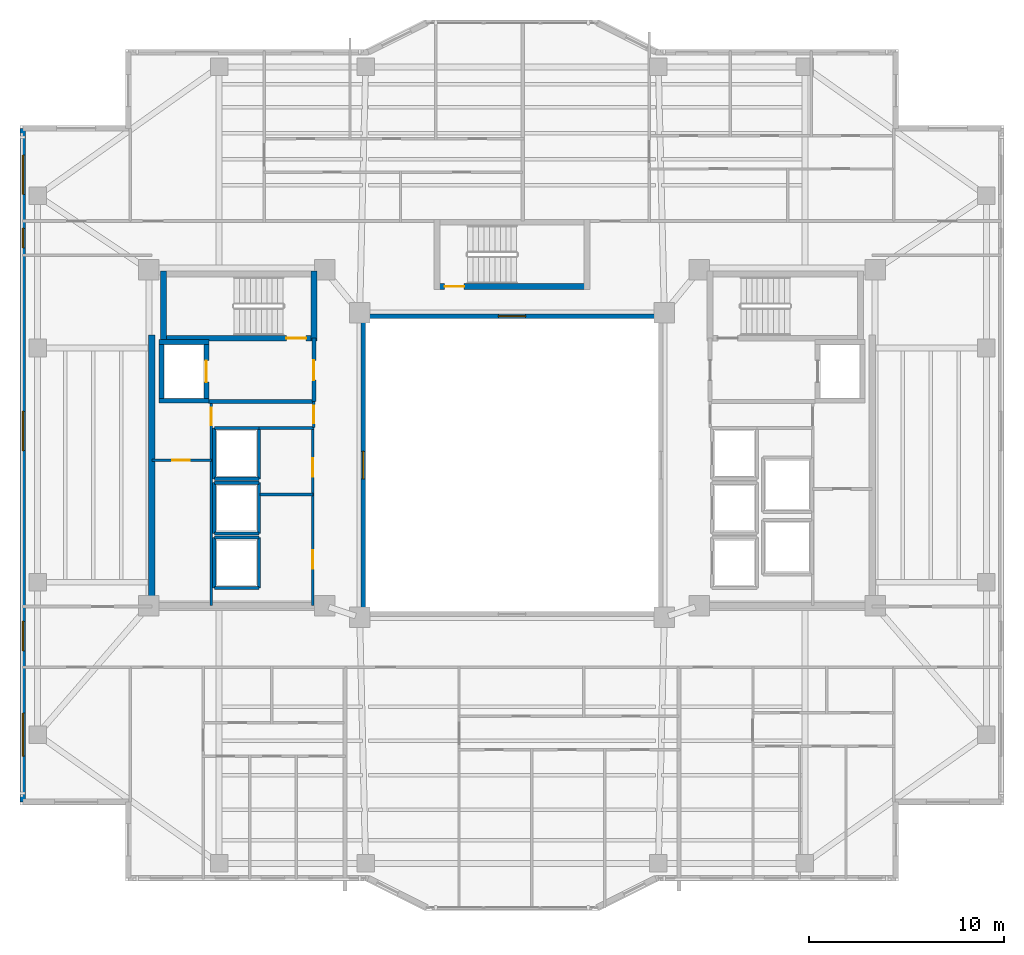
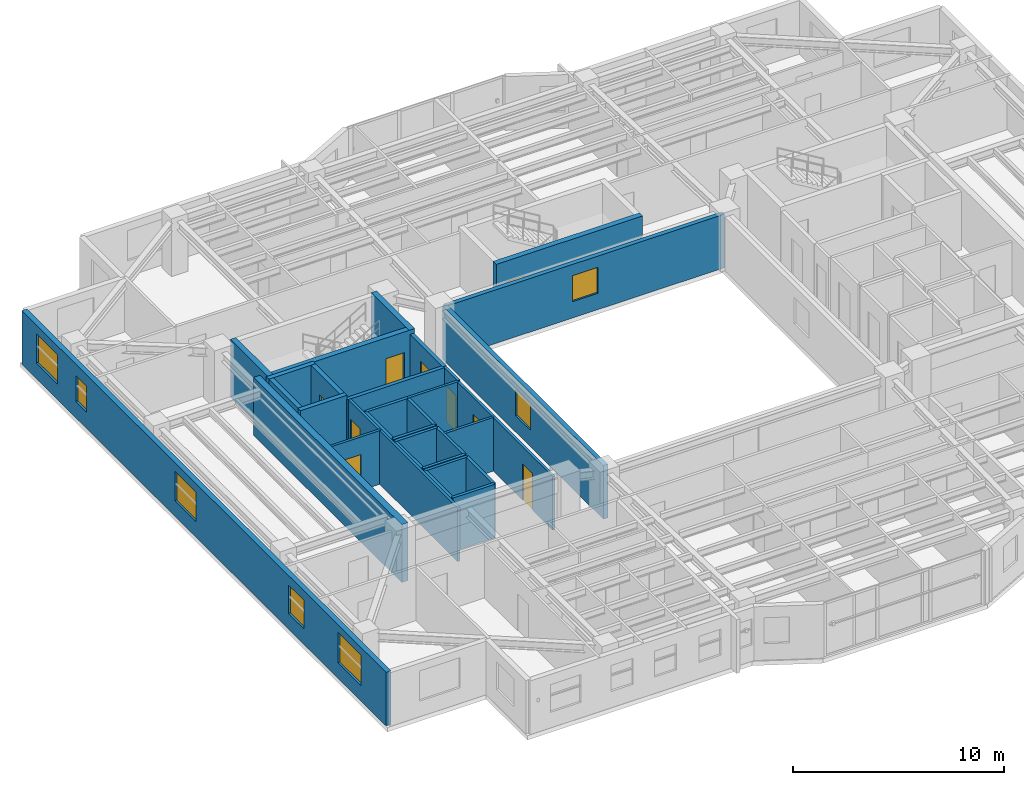
# One storey, part 7 of 16: 32 walls, 9 doors, 7 windows, 16 openings.
"""IFC4 building model written with IfcOpenShell, lengths in metres."""

from ifc_helpers import new_model, si_unit, direction, frame, frame_2d, origin, place, context, subcontext, project, spatial, rectangle, extrude, material, layer, layer_set, type_object, element, fill, save


model = new_model("IFC4")

# Units and contexts
model_context = context("Model", 3, precision=1e-05, world=origin(), true_north=direction((0.0, 1.0)))
body_context = subcontext(model_context, "Body", "Model", "MODEL_VIEW")
ifc_project = project(units=[si_unit("LENGTHUNIT", "METRE"), si_unit("AREAUNIT", "SQUARE_METRE"), si_unit("VOLUMEUNIT", "CUBIC_METRE"), si_unit("PLANEANGLEUNIT", "RADIAN"), si_unit("MASSUNIT", "GRAM", prefix="KILO")], contexts=[model_context])

# Site, building, storey
site_placement = place(None, origin())
site = spatial("IfcSite", under=ifc_project, at=site_placement, CompositionType="ELEMENT")
building_placement = place(site_placement, origin())
building = spatial("IfcBuilding", under=site, at=building_placement, Name="Tarnavaz Court Tower", CompositionType="ELEMENT")
storey_placement = place(building_placement, frame((0.0, 0.0, 146.0)))
storey = spatial("IfcBuildingStorey", under=building, at=storey_placement, Name="L39", CompositionType="ELEMENT", Elevation=146.0)

# Wall
ifc_material_1 = material(Name="Concrete C50/60", Category="concrete")
ifc_layer_1 = layer(ifc_material_1, 0.25)
ifc_layer_set_1 = layer_set([ifc_layer_1], Name="Concrete C50/60")
wall_type_1 = type_object("IfcWallType", Name="WL-CORE-250-C50", PredefinedType="SHEAR", material=ifc_layer_set_1)
wall_1_placement = place(storey_placement, frame((-17.949951171875, 3.175048828125, 0.0), z_axis=(0.0, 0.0, 1.0), x_axis=(0.0, 1.0, 0.0)))
element("IfcWall", 1, at=wall_1_placement, inside=storey, type_object=wall_type_1, Name="L39 Lift FL-W1 Shaft Wall 017", PredefinedType="SHEAR", context=body_context, shape_type="SweptSolid", body=[
    extrude(rectangle(XDim=3.25, YDim=0.25, at=frame_2d((1.625, 0.0))), origin(), (0.0, 0.0, 1.0), 3.35009765625),
])

# Wall, opening, door
wall_2_placement = place(storey_placement, frame((-15.64990234375, 3.175048828125, 0.0), z_axis=(0.0, 0.0, 1.0), x_axis=(0.0, 1.0, 0.0)))
wall_2 = element("IfcWall", 2, at=wall_2_placement, inside=storey, type_object=wall_type_1, Name="L39 Lift FL-W1 Shaft Wall 018", PredefinedType="SHEAR", context=body_context, shape_type="SweptSolid", body=[
    extrude(rectangle(XDim=3.25, YDim=0.25, at=frame_2d((1.625, 0.0))), origin(), (0.0, 0.0, 1.0), 3.35009765625),
])
opening_1_placement = place(wall_2_placement, frame((1.074951171875, 0.0, 0.0)))
opening_1 = element("IfcOpeningElement", 3, at=opening_1_placement, cuts=wall_2, Name="Opening LD1", PredefinedType="OPENING", context=body_context, shape_type="SweptSolid", body=[
    extrude(rectangle(XDim=1.10009765625, YDim=2.14990234375, at=frame_2d((0.550048828125, 1.074951171875))), frame((0.0, 0.135009765625, 0.0), z_axis=(0.0, -1.0, 0.0), x_axis=(1.0, 0.0, 0.0)), (0.0, 0.0, 1.0), 0.27001953125),
])
ifc_material_2 = material(Name="Stainless Steel", Category="steel")
door_type_1 = type_object("IfcDoorType", Name="DR-LD-1100", OperationType="NOTDEFINED", PredefinedType="DOOR", material=ifc_material_2)
door_1_placement = place(opening_1_placement, origin())
door_1 = element("IfcDoor", 4, at=door_1_placement, inside=storey, type_object=door_type_1, Name="L39 Lift Landing Door LD-FL-W1", OperationType="SLIDING_TO_LEFT", OverallHeight=2.14990234375, OverallWidth=1.10009765625, PredefinedType="DOOR", context=body_context, shape_type="SweptSolid", body=[
    extrude(rectangle(XDim=1.10009765625, YDim=2.14990234375, at=frame_2d((0.550048828125, 1.074951171875))), frame((0.0, 0.02490234375, 0.0), z_axis=(0.0, -1.0, 0.0), x_axis=(1.0, 0.0, 0.0)), (0.0, 0.0, 1.0), 0.050048828125),
])
fill(opening_1, door_1)

# Walls
for number, where, z_axis, x_axis, name in (
    (5, (-18.074951171875, 3.300048828125, 0.0), (0.0, 0.0, 1.0), (1.0, 0.0, 0.0), "L39 Lift FL-W1 Shaft Wall 019"),
    (6, (-18.074951171875, 6.300048828125, 0.0), (0.0, 0.0, 1.0), (1.0, 0.0, 0.0), "L39 Lift FL-W1 Shaft Wall 020"),
):
    element("IfcWall", number, at=place(storey_placement, frame(where, z_axis=z_axis, x_axis=x_axis)), inside=storey, type_object=wall_type_1, Name=name, PredefinedType="SHEAR", context=body_context, shape_type="SweptSolid", body=[
        extrude(rectangle(XDim=2.550048828125, YDim=0.25, at=frame_2d((1.27490234375, 0.0))), origin(), (0.0, 0.0, 1.0), 3.35009765625),
    ])

# Wall, opening, door
ifc_layer_2 = layer(ifc_material_1, 0.300048828125)
ifc_layer_set_2 = layer_set([ifc_layer_2], Name="Concrete C50/60")
wall_type_2 = type_object("IfcWallType", Name="WL-CORE-300-C50", PredefinedType="SHEAR", material=ifc_layer_set_2)
wall_3_placement = place(storey_placement, frame((-18.0, 6.5, 0.0), z_axis=(0.0, 0.0, 1.0), x_axis=(1.0, 0.0, 0.0)))
wall_3 = element("IfcWall", 7, at=wall_3_placement, inside=storey, type_object=wall_type_2, Name="L39 West Stair Core Wall 002", PredefinedType="SHEAR", context=body_context, shape_type="SweptSolid", body=[
    extrude(rectangle(XDim=8.0, YDim=0.300048828125, at=frame_2d((4.0, 0.0))), origin(), (0.0, 0.0, 1.0), 3.35009765625),
])
opening_2_placement = place(wall_3_placement, frame((6.449951171875, 0.0, 0.0)))
opening_2 = element("IfcOpeningElement", 8, at=opening_2_placement, cuts=wall_3, Name="Opening D01", PredefinedType="OPENING", context=body_context, shape_type="SweptSolid", body=[
    extrude(rectangle(XDim=1.0, YDim=2.14990234375, at=frame_2d((0.5, 1.074951171875))), frame((0.0, 0.159912109375, 0.0), z_axis=(0.0, -1.0, 0.0), x_axis=(1.0, 0.0, 0.0)), (0.0, 0.0, 1.0), 0.320068359375),
])
ifc_material_3 = material(Name="Fire-Rated Hardwood Timber Core", Category="wood")
door_type_2 = type_object("IfcDoorType", Name="DR-FD90-1000", OperationType="NOTDEFINED", PredefinedType="DOOR", material=ifc_material_3)
door_2_placement = place(opening_2_placement, origin())
door_2 = element("IfcDoor", 9, at=door_2_placement, inside=storey, type_object=door_type_2, Name="L39 Stair ST-W1 Exit Door", OperationType="SINGLE_SWING_LEFT", OverallHeight=2.14990234375, OverallWidth=1.0, PredefinedType="DOOR", context=body_context, shape_type="SweptSolid", body=[
    extrude(rectangle(XDim=1.0, YDim=2.14990234375, at=frame_2d((0.5, 1.074951171875))), frame((0.0, 0.02490234375, 0.0), z_axis=(0.0, -1.0, 0.0), x_axis=(1.0, 0.0, 0.0)), (0.0, 0.0, 1.0), 0.050048828125),
])
fill(opening_2, door_2)

# Walls
for number, where, z_axis, x_axis, name in (
    (10, (-17.85009765625, 6.35009765625, 0.0), (0.0, 0.0, 1.0), (0.0, 1.0, 0.0), "L39 West Stair Core Wall 003"),
    (11, (-10.14990234375, 6.35009765625, 0.0), (0.0, 0.0, 1.0), (0.0, 1.0, 0.0), "L39 West Stair Core Wall 004"),
):
    element("IfcWall", number, at=place(storey_placement, frame(where, z_axis=z_axis, x_axis=x_axis)), inside=storey, type_object=wall_type_2, Name=name, PredefinedType="SHEAR", context=body_context, shape_type="SweptSolid", body=[
        extrude(rectangle(XDim=3.58984375, YDim=0.300048828125, at=frame_2d((1.794921875, 0.0))), origin(), (0.0, 0.0, 1.0), 3.35009765625),
    ])

# Wall, opening, door
wall_4_placement = place(storey_placement, frame((-4.0, 9.14990234375, 0.0), z_axis=(0.0, 0.0, 1.0), x_axis=(1.0, 0.0, 0.0)))
wall_4 = element("IfcWall", 12, at=wall_4_placement, inside=storey, type_object=wall_type_2, Name="L39 North Stair Core Wall 010", PredefinedType="SHEAR", context=body_context, shape_type="SweptSolid", body=[
    extrude(rectangle(XDim=8.0, YDim=0.300048828125, at=frame_2d((4.0, 0.0))), origin(), (0.0, 0.0, 1.0), 3.35009765625),
])
opening_3_placement = place(wall_4_placement, frame((0.550048828125, 0.0, 0.0)))
opening_3 = element("IfcOpeningElement", 13, at=opening_3_placement, cuts=wall_4, Name="Opening D01", PredefinedType="OPENING", context=body_context, shape_type="SweptSolid", body=[
    extrude(rectangle(XDim=1.0, YDim=2.14990234375, at=frame_2d((0.5, 1.074951171875))), frame((0.0, 0.159912109375, 0.0), z_axis=(0.0, -1.0, 0.0), x_axis=(1.0, 0.0, 0.0)), (0.0, 0.0, 1.0), 0.320068359375),
])
door_3_placement = place(opening_3_placement, origin())
door_3 = element("IfcDoor", 14, at=door_3_placement, inside=storey, type_object=door_type_2, Name="L39 Stair ST-N1 Exit Door", OperationType="SINGLE_SWING_LEFT", OverallHeight=2.14990234375, OverallWidth=1.0, PredefinedType="DOOR", context=body_context, shape_type="SweptSolid", body=[
    extrude(rectangle(XDim=1.0, YDim=2.14990234375, at=frame_2d((0.5, 1.074951171875))), frame((0.0, 0.02490234375, 0.0), z_axis=(0.0, -1.0, 0.0), x_axis=(1.0, 0.0, 0.0)), (0.0, 0.0, 1.0), 0.050048828125),
])
fill(opening_3, door_3)

# Wall
ifc_layer_3 = layer(ifc_material_1, 0.35009765625)
ifc_layer_set_3 = layer_set([ifc_layer_3], Name="Concrete C50/60")
wall_type_3 = type_object("IfcWallType", Name="WL-CORE-350-C50", PredefinedType="SHEAR", material=ifc_layer_set_3)
wall_5_placement = place(storey_placement, frame((-18.449951171875, -7.375, 0.0), z_axis=(0.0, 0.0, 1.0), x_axis=(0.0, 1.0, 0.0)))
element("IfcWall", 15, at=wall_5_placement, inside=storey, type_object=wall_type_3, Name="L39 West Core Shear Wall 057", PredefinedType="SHEAR", context=body_context, shape_type="SweptSolid", body=[
    extrude(rectangle(XDim=14.050048828125, YDim=0.35009765625, at=frame_2d((7.02490234375, 0.0))), origin(), (0.0, 0.0, 1.0), 3.35009765625),
])

# Wall, openings, windows
ifc_material_4 = material(Name="Precast Concrete C40/50", Category="concrete")
ifc_layer_4 = layer(ifc_material_4, 0.280029296875)
ifc_layer_set_4 = layer_set([ifc_layer_4], Name="Precast Concrete C40/50")
wall_type_4 = type_object("IfcWallType", Name="WL-EXT-280", PredefinedType="SOLIDWALL", material=ifc_layer_set_4)
wall_6_placement = place(storey_placement, frame((-25.050048828125, -17.25, 0.0), z_axis=(0.0, 0.0, 1.0), x_axis=(0.0, 1.0, 0.0)))
wall_6 = element("IfcWall", 16, at=wall_6_placement, inside=storey, type_object=wall_type_4, Name="L39 Exterior Terracotta Facade Wall 02", PredefinedType="SOLIDWALL", context=body_context, shape_type="SweptSolid", body=[
    extrude(rectangle(XDim=34.5, YDim=0.280029296875, at=frame_2d((17.25, 0.0))), origin(), (0.0, 0.0, 1.0), 3.10009765625),
])
opening_4_placement = place(wall_6_placement, frame((2.35009765625, 0.0, 0.89990234375)))
opening_4 = element("IfcOpeningElement", 17, at=opening_4_placement, cuts=wall_6, Name="Opening W07", PredefinedType="OPENING", context=body_context, shape_type="SweptSolid", body=[
    extrude(rectangle(XDim=2.199951171875, YDim=1.75, at=frame_2d((1.10009765625, 0.875))), frame((0.0, 0.14990234375, 0.0), z_axis=(0.0, -1.0, 0.0), x_axis=(1.0, 0.0, 0.0)), (0.0, 0.0, 1.0), 0.300048828125),
])
opening_5_placement = place(wall_6_placement, frame((7.742431640625, 0.0, 0.89990234375)))
opening_5 = element("IfcOpeningElement", 18, at=opening_5_placement, cuts=wall_6, Name="Opening W03", PredefinedType="OPENING", context=body_context, shape_type="SweptSolid", body=[
    extrude(rectangle(XDim=1.5, YDim=1.64990234375, at=frame_2d((0.75, 0.824951171875))), frame((0.0, 0.14990234375, 0.0), z_axis=(0.0, -1.0, 0.0), x_axis=(1.0, 0.0, 0.0)), (0.0, 0.0, 1.0), 0.300048828125),
])
opening_6_placement = place(wall_6_placement, frame((18.0, 0.0, 0.89990234375)))
opening_6 = element("IfcOpeningElement", 19, at=opening_6_placement, cuts=wall_6, Name="Opening W08", PredefinedType="OPENING", context=body_context, shape_type="SweptSolid", body=[
    extrude(rectangle(XDim=2.0, YDim=1.699951171875, at=frame_2d((1.0, 0.85009765625))), frame((0.0, 0.14990234375, 0.0), z_axis=(0.0, -1.0, 0.0), x_axis=(1.0, 0.0, 0.0)), (0.0, 0.0, 1.0), 0.300048828125),
])
opening_7_placement = place(wall_6_placement, frame((28.375, 0.0, 0.949951171875)))
opening_7 = element("IfcOpeningElement", 20, at=opening_7_placement, cuts=wall_6, Name="Opening W14", PredefinedType="OPENING", context=body_context, shape_type="SweptSolid", body=[
    extrude(rectangle(XDim=1.0, YDim=1.5, at=frame_2d((0.5, 0.75))), frame((0.0, 0.14990234375, 0.0), z_axis=(0.0, -1.0, 0.0), x_axis=(1.0, 0.0, 0.0)), (0.0, 0.0, 1.0), 0.300048828125),
])
opening_8_placement = place(wall_6_placement, frame((31.125, 0.0, 0.89990234375)))
opening_8 = element("IfcOpeningElement", 21, at=opening_8_placement, cuts=wall_6, Name="Opening W08", PredefinedType="OPENING", context=body_context, shape_type="SweptSolid", body=[
    extrude(rectangle(XDim=2.0, YDim=1.699951171875, at=frame_2d((1.0, 0.85009765625))), frame((0.0, 0.14990234375, 0.0), z_axis=(0.0, -1.0, 0.0), x_axis=(1.0, 0.0, 0.0)), (0.0, 0.0, 1.0), 0.300048828125),
])
ifc_material_5 = material(Name="Double-Glazed Solar Low-E Glass", Category="glass")
window_type_1 = type_object("IfcWindowType", Name="WN-APT-1000", PartitioningType="SINGLE_PANEL", PredefinedType="WINDOW", material=ifc_material_5)
window_1_placement = place(opening_7_placement, origin())
window_1 = element("IfcWindow", 22, at=window_1_placement, inside=storey, type_object=window_type_1, Name="L39 North-West Corner Corridor Window", OverallHeight=1.5, OverallWidth=1.0, PartitioningType="SINGLE_PANEL", PredefinedType="WINDOW", context=body_context, shape_type="SweptSolid", body=[
    extrude(rectangle(XDim=1.0, YDim=1.5, at=frame_2d((0.5, 0.75))), frame((0.0, 0.030029296875, 0.0), z_axis=(0.0, -1.0, 0.0), x_axis=(1.0, 0.0, 0.0)), (0.0, 0.0, 1.0), 0.06005859375),
])
fill(opening_7, window_1)
window_type_2 = type_object("IfcWindowType", Name="WN-APT-1500", PartitioningType="DOUBLE_PANEL_VERTICAL", PredefinedType="WINDOW", material=ifc_material_5)
window_2_placement = place(opening_5_placement, origin())
window_2 = element("IfcWindow", 23, at=window_2_placement, inside=storey, type_object=window_type_2, Name="L39 South-West Corner Corridor Window", OverallHeight=1.64990234375, OverallWidth=1.5, PartitioningType="SINGLE_PANEL", PredefinedType="WINDOW", context=body_context, shape_type="SweptSolid", body=[
    extrude(rectangle(XDim=1.5, YDim=1.64990234375, at=frame_2d((0.75, 0.824951171875))), frame((0.0, 0.030029296875, 0.0), z_axis=(0.0, -1.0, 0.0), x_axis=(1.0, 0.0, 0.0)), (0.0, 0.0, 1.0), 0.06005859375),
])
fill(opening_5, window_2)
window_type_3 = type_object("IfcWindowType", Name="WN-APT-2000", PartitioningType="DOUBLE_PANEL_VERTICAL", PredefinedType="WINDOW", material=ifc_material_5)
window_3_placement = place(opening_6_placement, origin())
window_3 = element("IfcWindow", 24, at=window_3_placement, inside=storey, type_object=window_type_3, Name="L39 West Wing Panoramic Study Gallery Window", OverallHeight=1.699951171875, OverallWidth=2.0, PartitioningType="SINGLE_PANEL", PredefinedType="WINDOW", context=body_context, shape_type="SweptSolid", body=[
    extrude(rectangle(XDim=2.0, YDim=1.699951171875, at=frame_2d((1.0, 0.85009765625))), frame((0.0, 0.030029296875, 0.0), z_axis=(0.0, -1.0, 0.0), x_axis=(1.0, 0.0, 0.0)), (0.0, 0.0, 1.0), 0.06005859375),
])
fill(opening_6, window_3)
window_4_placement = place(opening_8_placement, origin())
window_4 = element("IfcWindow", 25, at=window_4_placement, inside=storey, type_object=window_type_3, Name="L39 North-West Corner Sunroom Study Window", OverallHeight=1.699951171875, OverallWidth=2.0, PartitioningType="SINGLE_PANEL", PredefinedType="WINDOW", context=body_context, shape_type="SweptSolid", body=[
    extrude(rectangle(XDim=2.0, YDim=1.699951171875, at=frame_2d((1.0, 0.85009765625))), frame((0.0, 0.030029296875, 0.0), z_axis=(0.0, -1.0, 0.0), x_axis=(1.0, 0.0, 0.0)), (0.0, 0.0, 1.0), 0.06005859375),
])
fill(opening_8, window_4)
window_type_4 = type_object("IfcWindowType", Name="WN-APT-2200", PartitioningType="TRIPLE_PANEL_VERTICAL", PredefinedType="WINDOW", material=ifc_material_5)
window_5_placement = place(opening_4_placement, origin())
window_5 = element("IfcWindow", 26, at=window_5_placement, inside=storey, type_object=window_type_4, Name="L39 South-West Corner Reading Room Window", OverallHeight=1.75, OverallWidth=2.199951171875, PartitioningType="SINGLE_PANEL", PredefinedType="WINDOW", context=body_context, shape_type="SweptSolid", body=[
    extrude(rectangle(XDim=2.199951171875, YDim=1.75, at=frame_2d((1.10009765625, 0.875))), frame((0.0, 0.030029296875, 0.0), z_axis=(0.0, -1.0, 0.0), x_axis=(1.0, 0.0, 0.0)), (0.0, 0.0, 1.0), 0.06005859375),
])
fill(opening_4, window_5)

# Wall
ifc_material_6 = material(Name="Autoclaved Aerated Concrete Blockwork", Category="masonry")
ifc_layer_5 = layer(ifc_material_6, 0.199951171875)
ifc_layer_set_5 = layer_set([ifc_layer_5], Name="Autoclaved Aerated Concrete Blockwork")
wall_type_5 = type_object("IfcWallType", Name="WL-FIRE-200", PredefinedType="SOLIDWALL", material=ifc_layer_set_5)
wall_7_placement = place(storey_placement, frame((-15.550048828125, 3.25, 0.0), z_axis=(0.0, 0.0, 1.0), x_axis=(1.0, 0.0, 0.0)))
element("IfcWall", 27, at=wall_7_placement, inside=storey, type_object=wall_type_5, Name="L39 West Firefighting Lobby Wall 013", PredefinedType="SOLIDWALL", context=body_context, shape_type="SweptSolid", body=[
    extrude(rectangle(XDim=5.400146484375, YDim=0.199951171875, at=frame_2d((2.7001953125, 0.0))), origin(), (0.0, 0.0, 1.0), 3.10009765625),
])

# Wall, opening, door
wall_8_placement = place(storey_placement, frame((-10.14990234375, 3.25, 0.0), z_axis=(0.0, 0.0, 1.0), x_axis=(0.0, 1.0, 0.0)))
wall_8 = element("IfcWall", 28, at=wall_8_placement, inside=storey, type_object=wall_type_5, Name="L39 West Firefighting Lobby Wall 014", PredefinedType="SOLIDWALL", context=body_context, shape_type="SweptSolid", body=[
    extrude(rectangle(XDim=3.25, YDim=0.199951171875, at=frame_2d((1.625, 0.0))), origin(), (0.0, 0.0, 1.0), 3.10009765625),
])
opening_9_placement = place(wall_8_placement, frame((1.10009765625, 0.0, 0.0)))
opening_9 = element("IfcOpeningElement", 29, at=opening_9_placement, cuts=wall_8, Name="Opening D05", PredefinedType="OPENING", context=body_context, shape_type="SweptSolid", body=[
    extrude(rectangle(XDim=1.02001953125, YDim=2.14990234375, at=frame_2d((0.510009765625, 1.074951171875))), frame((0.0, 0.10986328125, 0.0), z_axis=(0.0, -1.0, 0.0), x_axis=(1.0, 0.0, 0.0)), (0.0, 0.0, 1.0), 0.219970703125),
])
door_type_3 = type_object("IfcDoorType", Name="DR-FD60-1000", OperationType="NOTDEFINED", PredefinedType="DOOR", material=ifc_material_3)
door_4_placement = place(opening_9_placement, origin())
door_4 = element("IfcDoor", 30, at=door_4_placement, inside=storey, type_object=door_type_3, Name="L39 West Firefighting Lobby Door", OperationType="SINGLE_SWING_RIGHT", OverallHeight=2.14990234375, OverallWidth=1.02001953125, PredefinedType="DOOR", context=body_context, shape_type="SweptSolid", body=[
    extrude(rectangle(XDim=1.02001953125, YDim=2.14990234375, at=frame_2d((0.510009765625, 1.074951171875))), frame((0.0, 0.02490234375, 0.0), z_axis=(0.0, -1.0, 0.0), x_axis=(1.0, 0.0, 0.0)), (0.0, 0.0, 1.0), 0.050048828125),
])
fill(opening_9, door_4)

# Wall
ifc_material_7 = material(Name="Gypsum Plasterboard Acoustic Partition", Category="masonry")
ifc_layer_6 = layer(ifc_material_7, 0.139892578125)
ifc_layer_set_6 = layer_set([ifc_layer_6], Name="Gypsum Plasterboard Acoustic Partition")
wall_type_6 = type_object("IfcWallType", Name="WL-PART-150", PredefinedType="PARTITIONING", material=ifc_layer_set_6)
wall_9_placement = place(storey_placement, frame((-12.949951171875, 1.89990234375, 0.0), z_axis=(0.0, 0.0, 1.0), x_axis=(1.0, 0.0, 0.0)))
element("IfcWall", 31, at=wall_9_placement, inside=storey, type_object=wall_type_6, Name="L39 Interior Partition 061", PredefinedType="PARTITIONING", context=body_context, shape_type="SweptSolid", body=[
    extrude(rectangle(XDim=2.800048828125, YDim=0.139892578125, at=frame_2d((1.39990234375, 0.0))), origin(), (0.0, 0.0, 1.0), 3.10009765625),
])

# Wall, opening, door
wall_10_placement = place(storey_placement, frame((-10.14990234375, 1.919921875, 0.0), z_axis=(0.0, 0.0, 1.0), x_axis=(0.0, 1.0, 0.0)))
wall_10 = element("IfcWall", 32, at=wall_10_placement, inside=storey, type_object=wall_type_6, Name="L39 Interior Partition 062", PredefinedType="PARTITIONING", context=body_context, shape_type="SweptSolid", body=[
    extrude(rectangle(XDim=1.330078125, YDim=0.139892578125, at=frame_2d((0.6650390625, 0.0))), origin(), (0.0, 0.0, 1.0), 3.10009765625),
])
opening_10_placement = place(wall_10_placement, frame((0.219970703125, 0.0, 0.0)))
opening_10 = element("IfcOpeningElement", 33, at=opening_10_placement, cuts=wall_10, Name="Opening D09", PredefinedType="OPENING", context=body_context, shape_type="SweptSolid", body=[
    extrude(rectangle(XDim=0.89990234375, YDim=2.080078125, at=frame_2d((0.449951171875, 1.0400390625))), frame((0.0, 0.079833984375, 0.0), z_axis=(0.0, -1.0, 0.0), x_axis=(1.0, 0.0, 0.0)), (0.0, 0.0, 1.0), 0.159912109375),
])
door_type_4 = type_object("IfcDoorType", Name="DR-FD30-900", OperationType="NOTDEFINED", PredefinedType="DOOR", material=ifc_material_3)
door_5_placement = place(opening_10_placement, origin())
door_5 = element("IfcDoor", 34, at=door_5_placement, inside=storey, type_object=door_type_4, Name="L39 West Core Service Lobby Door", OperationType="SINGLE_SWING_LEFT", OverallHeight=2.080078125, OverallWidth=0.89990234375, PredefinedType="DOOR", context=body_context, shape_type="SweptSolid", body=[
    extrude(rectangle(XDim=0.89990234375, YDim=2.080078125, at=frame_2d((0.449951171875, 1.0400390625))), frame((0.0, 0.02490234375, 0.0), z_axis=(0.0, -1.0, 0.0), x_axis=(1.0, 0.0, 0.0)), (0.0, 0.0, 1.0), 0.050048828125),
])
fill(opening_10, door_5)

wall_11_placement = place(storey_placement, frame((-15.39990234375, -7.199951171875, 0.0), z_axis=(0.0, 0.0, 1.0), x_axis=(0.0, 1.0, 0.0)))
wall_11 = element("IfcWall", 35, at=wall_11_placement, inside=storey, type_object=wall_type_6, Name="L39 Interior Partition 063", PredefinedType="PARTITIONING", context=body_context, shape_type="SweptSolid", body=[
    extrude(rectangle(XDim=10.449951171875, YDim=0.139892578125, at=frame_2d((5.22509765625, 0.0))), origin(), (0.0, 0.0, 1.0), 3.10009765625),
])
opening_11_placement = place(wall_11_placement, frame((9.25, 0.0, 0.0)))
opening_11 = element("IfcOpeningElement", 36, at=opening_11_placement, cuts=wall_11, Name="Opening D09", PredefinedType="OPENING", context=body_context, shape_type="SweptSolid", body=[
    extrude(rectangle(XDim=0.89990234375, YDim=2.080078125, at=frame_2d((0.449951171875, 1.0400390625))), frame((0.0, 0.079833984375, 0.0), z_axis=(0.0, -1.0, 0.0), x_axis=(1.0, 0.0, 0.0)), (0.0, 0.0, 1.0), 0.159912109375),
])
door_6_placement = place(opening_11_placement, origin())
door_6 = element("IfcDoor", 37, at=door_6_placement, inside=storey, type_object=door_type_4, Name="L39 West Data Room Door", OperationType="SINGLE_SWING_RIGHT", OverallHeight=2.080078125, OverallWidth=0.89990234375, PredefinedType="DOOR", context=body_context, shape_type="SweptSolid", body=[
    extrude(rectangle(XDim=0.89990234375, YDim=2.080078125, at=frame_2d((0.449951171875, 1.0400390625))), frame((0.0, 0.02490234375, 0.0), z_axis=(0.0, -1.0, 0.0), x_axis=(1.0, 0.0, 0.0)), (0.0, 0.0, 1.0), 0.050048828125),
])
fill(opening_11, door_6)

wall_12_placement = place(storey_placement, frame((-18.449951171875, 0.25, 0.0), z_axis=(0.0, 0.0, 1.0), x_axis=(1.0, 0.0, 0.0)))
wall_12 = element("IfcWall", 38, at=wall_12_placement, inside=storey, type_object=wall_type_6, Name="L39 Interior Partition 064", PredefinedType="PARTITIONING", context=body_context, shape_type="SweptSolid", body=[
    extrude(rectangle(XDim=3.050048828125, YDim=0.139892578125, at=frame_2d((1.52490234375, 0.0))), origin(), (0.0, 0.0, 1.0), 3.10009765625),
])
opening_12_placement = place(wall_12_placement, frame((1.050048828125, 0.0, 0.0)))
opening_12 = element("IfcOpeningElement", 39, at=opening_12_placement, cuts=wall_12, Name="Opening D09", PredefinedType="OPENING", context=body_context, shape_type="SweptSolid", body=[
    extrude(rectangle(XDim=0.89990234375, YDim=2.080078125, at=frame_2d((0.449951171875, 1.0400390625))), frame((0.0, 0.079833984375, 0.0), z_axis=(0.0, -1.0, 0.0), x_axis=(1.0, 0.0, 0.0)), (0.0, 0.0, 1.0), 0.159912109375),
])
door_7_placement = place(opening_12_placement, origin())
door_7 = element("IfcDoor", 40, at=door_7_placement, inside=storey, type_object=door_type_4, Name="L39 West Mechanical Riser Door", OperationType="SINGLE_SWING_LEFT", OverallHeight=2.080078125, OverallWidth=0.89990234375, PredefinedType="DOOR", context=body_context, shape_type="SweptSolid", body=[
    extrude(rectangle(XDim=0.89990234375, YDim=2.080078125, at=frame_2d((0.449951171875, 1.0400390625))), frame((0.0, 0.02490234375, 0.0), z_axis=(0.0, -1.0, 0.0), x_axis=(1.0, 0.0, 0.0)), (0.0, 0.0, 1.0), 0.050048828125),
])
fill(opening_12, door_7)

# Wall, openings, doors
wall_13_placement = place(storey_placement, frame((-10.199951171875, -7.199951171875, 0.0), z_axis=(0.0, 0.0, 1.0), x_axis=(0.0, 1.0, 0.0)))
wall_13 = element("IfcWall", 41, at=wall_13_placement, inside=storey, type_object=wall_type_6, Name="L39 West Reclaimed Core Wall 065", PredefinedType="PARTITIONING", context=body_context, shape_type="SweptSolid", body=[
    extrude(rectangle(XDim=9.119873046875, YDim=0.139892578125, at=frame_2d((4.56005859375, 0.0))), origin(), (0.0, 0.0, 1.0), 3.10009765625),
])
opening_13_placement = place(wall_13_placement, frame((1.89990234375, 0.0, 0.0)))
opening_13 = element("IfcOpeningElement", 42, at=opening_13_placement, cuts=wall_13, Name="Opening D08", PredefinedType="OPENING", context=body_context, shape_type="SweptSolid", body=[
    extrude(rectangle(XDim=0.949951171875, YDim=2.1201171875, at=frame_2d((0.47509765625, 1.06005859375))), frame((0.0, 0.079833984375, 0.0), z_axis=(0.0, -1.0, 0.0), x_axis=(1.0, 0.0, 0.0)), (0.0, 0.0, 1.0), 0.159912109375),
])
opening_14_placement = place(wall_13_placement, frame((6.60009765625, 0.0, 0.0)))
opening_14 = element("IfcOpeningElement", 43, at=opening_14_placement, cuts=wall_13, Name="Opening D08", PredefinedType="OPENING", context=body_context, shape_type="SweptSolid", body=[
    extrude(rectangle(XDim=0.949951171875, YDim=2.1201171875, at=frame_2d((0.47509765625, 1.06005859375))), frame((0.0, 0.079833984375, 0.0), z_axis=(0.0, -1.0, 0.0), x_axis=(1.0, 0.0, 0.0)), (0.0, 0.0, 1.0), 0.159912109375),
])
door_type_5 = type_object("IfcDoorType", Name="DR-FD30-950", OperationType="NOTDEFINED", PredefinedType="DOOR", material=ifc_material_3)
door_8_placement = place(opening_13_placement, origin())
door_8 = element("IfcDoor", 44, at=door_8_placement, inside=storey, type_object=door_type_5, Name="L39 West Study Room Door", OperationType="SINGLE_SWING_RIGHT", OverallHeight=2.1201171875, OverallWidth=0.949951171875, PredefinedType="DOOR", context=body_context, shape_type="SweptSolid", body=[
    extrude(rectangle(XDim=0.949951171875, YDim=2.1201171875, at=frame_2d((0.47509765625, 1.06005859375))), frame((0.0, 0.02490234375, 0.0), z_axis=(0.0, -1.0, 0.0), x_axis=(1.0, 0.0, 0.0)), (0.0, 0.0, 1.0), 0.050048828125),
])
fill(opening_13, door_8)
door_9_placement = place(opening_14_placement, origin())
door_9 = element("IfcDoor", 45, at=door_9_placement, inside=storey, type_object=door_type_5, Name="L39 West Laundry Room Door", OperationType="SINGLE_SWING_LEFT", OverallHeight=2.1201171875, OverallWidth=0.949951171875, PredefinedType="DOOR", context=body_context, shape_type="SweptSolid", body=[
    extrude(rectangle(XDim=0.949951171875, YDim=2.1201171875, at=frame_2d((0.47509765625, 1.06005859375))), frame((0.0, 0.02490234375, 0.0), z_axis=(0.0, -1.0, 0.0), x_axis=(1.0, 0.0, 0.0)), (0.0, 0.0, 1.0), 0.050048828125),
])
fill(opening_14, door_9)

# Walls
wall_14_placement = place(storey_placement, frame((-12.89990234375, -1.5, 0.0), z_axis=(0.0, 0.0, 1.0), x_axis=(1.0, 0.0, 0.0)))
element("IfcWall", 46, at=wall_14_placement, inside=storey, type_object=wall_type_6, Name="L39 Interior Partition 066", PredefinedType="PARTITIONING", context=body_context, shape_type="SweptSolid", body=[
    extrude(rectangle(XDim=2.699951171875, YDim=0.139892578125, at=frame_2d((1.35009765625, 0.0))), origin(), (0.0, 0.0, 1.0), 3.10009765625),
])
ifc_layer_7 = layer(ifc_material_6, 0.159912109375)
ifc_layer_set_7 = layer_set([ifc_layer_7], Name="Autoclaved Aerated Concrete Blockwork")
wall_type_7 = type_object("IfcWallType", Name="WL-SHAFT-150", PredefinedType="SOLIDWALL", material=ifc_layer_set_7)
for number, where, z_axis, x_axis, name in (
    (47, (-15.25, -6.300048828125, 0.0), (0.0, 0.0, 1.0), (0.0, 1.0, 0.0), "L39 Lift PL-H1 Shaft Wall 021"),
    (48, (-12.949951171875, -6.300048828125, 0.0), (0.0, 0.0, 1.0), (0.0, 1.0, 0.0), "L39 Lift PL-H1 Shaft Wall 022"),
):
    element("IfcWall", number, at=place(storey_placement, frame(where, z_axis=z_axis, x_axis=x_axis)), inside=storey, type_object=wall_type_7, Name=name, PredefinedType="SOLIDWALL", context=body_context, shape_type="SweptSolid", body=[
        extrude(rectangle(XDim=2.60009765625, YDim=0.159912109375, at=frame_2d((1.300048828125, 0.0))), origin(), (0.0, 0.0, 1.0), 3.10009765625),
    ])
for number, where, z_axis, x_axis, name in (
    (49, (-15.25, -6.300048828125, 0.0), (0.0, 0.0, 1.0), (1.0, 0.0, 0.0), "L39 Lift PL-H1 Shaft Wall 023"),
    (50, (-15.25, -3.699951171875, 0.0), (0.0, 0.0, 1.0), (1.0, 0.0, 0.0), "L39 Lift PL-H1 Shaft Wall 024"),
):
    element("IfcWall", number, at=place(storey_placement, frame(where, z_axis=z_axis, x_axis=x_axis)), inside=storey, type_object=wall_type_7, Name=name, PredefinedType="SOLIDWALL", context=body_context, shape_type="SweptSolid", body=[
        extrude(rectangle(XDim=2.300048828125, YDim=0.159912109375, at=frame_2d((1.14990234375, 0.0))), origin(), (0.0, 0.0, 1.0), 3.10009765625),
    ])
for number, where, z_axis, x_axis, name in (
    (51, (-15.25, -3.5, 0.0), (0.0, 0.0, 1.0), (0.0, 1.0, 0.0), "L39 Lift PL-H2 Shaft Wall 025"),
    (52, (-12.949951171875, -3.5, 0.0), (0.0, 0.0, 1.0), (0.0, 1.0, 0.0), "L39 Lift PL-H2 Shaft Wall 026"),
):
    element("IfcWall", number, at=place(storey_placement, frame(where, z_axis=z_axis, x_axis=x_axis)), inside=storey, type_object=wall_type_7, Name=name, PredefinedType="SOLIDWALL", context=body_context, shape_type="SweptSolid", body=[
        extrude(rectangle(XDim=2.60009765625, YDim=0.159912109375, at=frame_2d((1.300048828125, 0.0))), origin(), (0.0, 0.0, 1.0), 3.10009765625),
    ])
for number, where, z_axis, x_axis, name in (
    (53, (-15.25, -3.5, 0.0), (0.0, 0.0, 1.0), (1.0, 0.0, 0.0), "L39 Lift PL-H2 Shaft Wall 027"),
    (54, (-15.25, -0.89990234375, 0.0), (0.0, 0.0, 1.0), (1.0, 0.0, 0.0), "L39 Lift PL-H2 Shaft Wall 028"),
):
    element("IfcWall", number, at=place(storey_placement, frame(where, z_axis=z_axis, x_axis=x_axis)), inside=storey, type_object=wall_type_7, Name=name, PredefinedType="SOLIDWALL", context=body_context, shape_type="SweptSolid", body=[
        extrude(rectangle(XDim=2.300048828125, YDim=0.159912109375, at=frame_2d((1.14990234375, 0.0))), origin(), (0.0, 0.0, 1.0), 3.10009765625),
    ])
for number, where, z_axis, x_axis, name in (
    (55, (-15.25, -0.699951171875, 0.0), (0.0, 0.0, 1.0), (0.0, 1.0, 0.0), "L39 Lift PL-H3 Shaft Wall 029"),
    (56, (-12.949951171875, -0.699951171875, 0.0), (0.0, 0.0, 1.0), (0.0, 1.0, 0.0), "L39 Lift PL-H3 Shaft Wall 030"),
):
    element("IfcWall", number, at=place(storey_placement, frame(where, z_axis=z_axis, x_axis=x_axis)), inside=storey, type_object=wall_type_7, Name=name, PredefinedType="SOLIDWALL", context=body_context, shape_type="SweptSolid", body=[
        extrude(rectangle(XDim=2.599853515625, YDim=0.159912109375, at=frame_2d((1.2998046875, 0.0))), origin(), (0.0, 0.0, 1.0), 3.10009765625),
    ])
for number, where, z_axis, x_axis, name in (
    (57, (-15.25, -0.699951171875, 0.0), (0.0, 0.0, 1.0), (1.0, 0.0, 0.0), "L39 Lift PL-H3 Shaft Wall 031"),
    (58, (-15.25, 1.89990234375, 0.0), (0.0, 0.0, 1.0), (1.0, 0.0, 0.0), "L39 Lift PL-H3 Shaft Wall 032"),
):
    element("IfcWall", number, at=place(storey_placement, frame(where, z_axis=z_axis, x_axis=x_axis)), inside=storey, type_object=wall_type_7, Name=name, PredefinedType="SOLIDWALL", context=body_context, shape_type="SweptSolid", body=[
        extrude(rectangle(XDim=2.300048828125, YDim=0.159912109375, at=frame_2d((1.14990234375, 0.0))), origin(), (0.0, 0.0, 1.0), 3.10009765625),
    ])

# Wall, opening, window
ifc_layer_8 = layer(ifc_material_4, 0.239990234375)
ifc_layer_set_8 = layer_set([ifc_layer_8], Name="Precast Concrete C40/50")
wall_type_8 = type_object("IfcWallType", Name="WL-WELL-240", PredefinedType="SOLIDWALL", material=ifc_layer_set_8)
wall_15_placement = place(storey_placement, frame((7.6201171875, 7.6201171875, 0.0), z_axis=(0.0, 0.0, 1.0), x_axis=(-1.0, 0.0, 0.0)))
wall_15 = element("IfcWall", 59, at=wall_15_placement, inside=storey, type_object=wall_type_8, Name="L39 Badgir Light-Well Exterior Wall N", PredefinedType="SOLIDWALL", context=body_context, shape_type="SweptSolid", body=[
    extrude(rectangle(XDim=15.240234375, YDim=0.239990234375, at=frame_2d((7.6201171875, 0.0))), origin(), (0.0, 0.0, 1.0), 3.10009765625),
])
opening_15_placement = place(wall_15_placement, frame((6.919921875, 0.0, 0.949951171875)))
opening_15 = element("IfcOpeningElement", 60, at=opening_15_placement, cuts=wall_15, Name="Opening W13", PredefinedType="OPENING", context=body_context, shape_type="SweptSolid", body=[
    extrude(rectangle(XDim=1.39990234375, YDim=1.5, at=frame_2d((0.699951171875, 0.75))), frame((0.0, 0.1298828125, 0.0), z_axis=(0.0, -1.0, 0.0), x_axis=(1.0, 0.0, 0.0)), (0.0, 0.0, 1.0), 0.260009765625),
])
window_type_5 = type_object("IfcWindowType", Name="WN-WEL-1400", PartitioningType="SINGLE_PANEL", PredefinedType="WINDOW", material=ifc_material_5)
window_6_placement = place(opening_15_placement, origin())
window_6 = element("IfcWindow", 61, at=window_6_placement, inside=storey, type_object=window_type_5, Name="L39 Courtyard Gallery Window N", OverallHeight=1.5, OverallWidth=1.39990234375, PartitioningType="SINGLE_PANEL", PredefinedType="WINDOW", context=body_context, shape_type="SweptSolid", body=[
    extrude(rectangle(XDim=1.39990234375, YDim=1.5, at=frame_2d((0.699951171875, 0.75))), frame((0.0, 0.030029296875, 0.0), z_axis=(0.0, -1.0, 0.0), x_axis=(1.0, 0.0, 0.0)), (0.0, 0.0, 1.0), 0.06005859375),
])
fill(opening_15, window_6)

wall_16_placement = place(storey_placement, frame((-7.6201171875, 7.6201171875, 0.0), z_axis=(0.0, 0.0, 1.0), x_axis=(0.0, -1.0, 0.0)))
wall_16 = element("IfcWall", 62, at=wall_16_placement, inside=storey, type_object=wall_type_8, Name="L39 Badgir Light-Well Exterior Wall W", PredefinedType="SOLIDWALL", context=body_context, shape_type="SweptSolid", body=[
    extrude(rectangle(XDim=15.240234375, YDim=0.239990234375, at=frame_2d((7.6201171875, 0.0))), origin(), (0.0, 0.0, 1.0), 3.10009765625),
])
opening_16_placement = place(wall_16_placement, frame((6.919921875, 0.0, 0.949951171875)))
opening_16 = element("IfcOpeningElement", 63, at=opening_16_placement, cuts=wall_16, Name="Opening W13", PredefinedType="OPENING", context=body_context, shape_type="SweptSolid", body=[
    extrude(rectangle(XDim=1.39990234375, YDim=1.5, at=frame_2d((0.699951171875, 0.75))), frame((0.0, 0.1298828125, 0.0), z_axis=(0.0, -1.0, 0.0), x_axis=(1.0, 0.0, 0.0)), (0.0, 0.0, 1.0), 0.260009765625),
])
window_7_placement = place(opening_16_placement, origin())
window_7 = element("IfcWindow", 64, at=window_7_placement, inside=storey, type_object=window_type_5, Name="L39 Courtyard Gallery Window W", OverallHeight=1.5, OverallWidth=1.39990234375, PartitioningType="SINGLE_PANEL", PredefinedType="WINDOW", context=body_context, shape_type="SweptSolid", body=[
    extrude(rectangle(XDim=1.39990234375, YDim=1.5, at=frame_2d((0.699951171875, 0.75))), frame((0.0, 0.030029296875, 0.0), z_axis=(0.0, -1.0, 0.0), x_axis=(1.0, 0.0, 0.0)), (0.0, 0.0, 1.0), 0.06005859375),
])
fill(opening_16, window_7)

save(model, "model.ifc")
